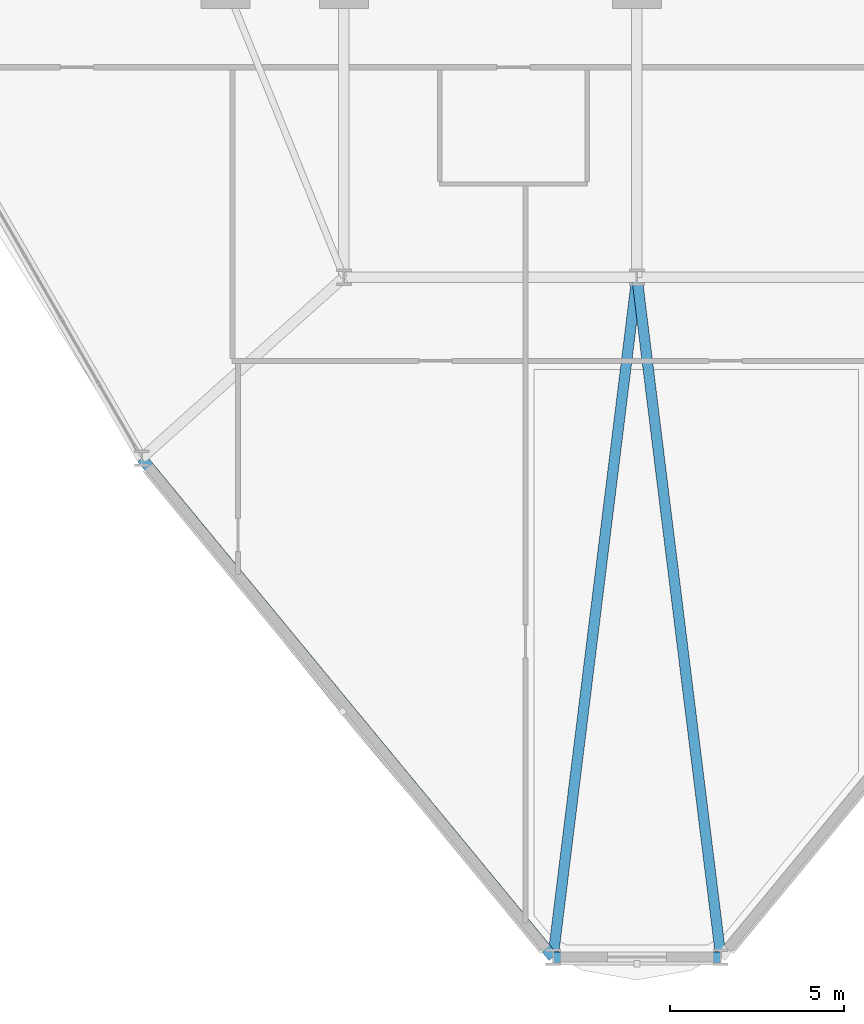
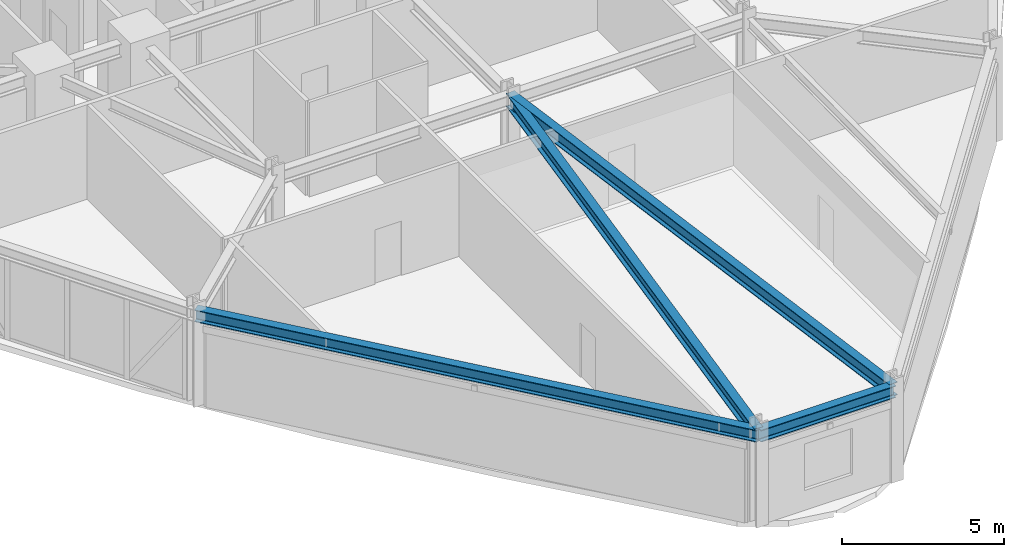
# One storey, part 3 of 22: 4 beams.
"""IFC4 building model written with IfcOpenShell, lengths in metres."""

from ifc_helpers import new_model, si_unit, derived_unit, direction, frame, origin, origin_2d, place, context, subcontext, project, spatial, i_section, extrude, source, transform, mapped, material, material_profile, profile_set, type_object, element, save


model = new_model("IFC4")

# Units and contexts
model_context = context("Model", 3, precision=1e-05, world=origin(), true_north=direction((0.0, 1.0)))
body_context = subcontext(model_context, "Body", "Model", "MODEL_VIEW")
ifc_project = project(units=[si_unit("LENGTHUNIT", "METRE"), si_unit("AREAUNIT", "SQUARE_METRE"), si_unit("VOLUMEUNIT", "CUBIC_METRE"), si_unit("PLANEANGLEUNIT", "RADIAN"), si_unit("MASSUNIT", "GRAM", prefix="KILO"), derived_unit("THERMALTRANSMITTANCEUNIT", [(si_unit("POWERUNIT", "WATT"), 1), (si_unit("LENGTHUNIT", "METRE"), -2), (si_unit("THERMODYNAMICTEMPERATUREUNIT", "KELVIN"), -1)])], contexts=[model_context])

# Site, building, storey
site_placement = place(None, origin())
site = spatial("IfcSite", under=ifc_project, at=site_placement, CompositionType="ELEMENT")
building_placement = place(site_placement, origin())
building = spatial("IfcBuilding", under=site, at=building_placement, Name="Korsvarv Bourse and Concert Hall", CompositionType="ELEMENT")
storey_placement = place(building_placement, frame((0.0, 0.0, 55.199951171875)))
storey = spatial("IfcBuildingStorey", under=building, at=storey_placement, Name="L13", CompositionType="ELEMENT", Elevation=55.199951171875)

# Beams
ifc_material = material(Name="Steel S355", Category="steel")
ifc_material_profile_1 = material_profile(ifc_material, i_section(OverallWidth=0.300048828125, OverallDepth=0.449951171875, WebThickness=0.013916015625, FlangeThickness=0.02587890625, FilletRadius=0.02099609375, at=origin_2d()), Name="HEB 450")
ifc_profile_set_1 = profile_set([ifc_material_profile_1], Name="Steel S355")
beam_type_1 = type_object("IfcBeamType", Name="BM-HEB450", PredefinedType="SPANDREL", material=ifc_profile_set_1)
shared_shape_1 = source(origin(), body_context, "Body", "SweptSolid", [
    extrude(i_section(OverallWidth=0.300048828125, OverallDepth=0.449951171875, WebThickness=0.013916015625, FlangeThickness=0.02587890625, FilletRadius=0.02099609375, at=origin_2d()), origin(), (0.0, 0.0, 1.0), 18.5390625),
])
beam_1_placement = place(storey_placement, frame((21.801513671875, 18.8134765625, 3.3349609375), z_axis=(0.636127669923, -0.771583817585, 0.0), x_axis=(0.771583817585, 0.636127669923, 0.0)))
element("IfcBeam", 1, at=beam_1_placement, inside=storey, type_object=beam_type_1, Name="L13 beam B-08", PredefinedType="SPANDREL", context=body_context, shape_type="MappedRepresentation", body=[
    mapped(shared_shape_1, transform((0.0, 0.0, 0.0), scale=1.0)),
])
shared_shape_2 = source(origin(), body_context, "Body", "SweptSolid", [
    extrude(i_section(OverallWidth=0.300048828125, OverallDepth=0.449951171875, WebThickness=0.013916015625, FlangeThickness=0.02587890625, FilletRadius=0.02099609375, at=origin_2d()), origin(), (0.0, 0.0, 1.0), 4.810546875),
])
beam_2_placement = place(storey_placement, frame((33.5947265625, 4.509033203125, 3.3349609375), z_axis=(1.0, 0.0, 0.0), x_axis=(0.0, 1.0, 0.0)))
element("IfcBeam", 2, at=beam_2_placement, inside=storey, type_object=beam_type_1, Name="L13 beam B-08", PredefinedType="SPANDREL", context=body_context, shape_type="MappedRepresentation", body=[
    mapped(shared_shape_2, transform((0.0, 0.0, 0.0), scale=1.0)),
])
ifc_material_profile_2 = material_profile(ifc_material, i_section(OverallWidth=0.300048828125, OverallDepth=0.5, WebThickness=0.014404296875, FlangeThickness=0.028076171875, FilletRadius=0.02392578125, at=origin_2d()), Name="HEB 500")
ifc_profile_set_2 = profile_set([ifc_material_profile_2], Name="Steel S355")
beam_type_2 = type_object("IfcBeamType", Name="BM-HEB500", PredefinedType="BEAM", material=ifc_profile_set_2)
shared_shape_3 = source(origin(), body_context, "Body", "SweptSolid", [
    extrude(i_section(OverallWidth=0.300048828125, OverallDepth=0.5, WebThickness=0.014404296875, FlangeThickness=0.028076171875, FilletRadius=0.02392578125, at=origin_2d()), origin(), (0.0, 0.0, 1.0), 19.638916015625),
])
for number, where, z_axis, x_axis, name in (
    (3, (33.5947265625, 4.509033203125, 3.31005859375), (0.122475475827, 0.992471540056, 0.0), (-0.992471540056, 0.122475475827, 0.0), "L13 beam B-07"),
    (4, (38.4052734375, 4.509033203125, 3.31005859375), (-0.122475475827, 0.992471540056, 0.0), (-0.992471540056, -0.122475475827, 0.0), "L13 beam B-07"),
):
    element("IfcBeam", number, at=place(storey_placement, frame(where, z_axis=z_axis, x_axis=x_axis)), inside=storey, type_object=beam_type_2, Name=name, PredefinedType="BEAM", context=body_context, shape_type="MappedRepresentation", body=[
        mapped(shared_shape_3, transform((0.0, 0.0, 0.0), scale=1.0)),
    ])

save(model, "model.ifc")
